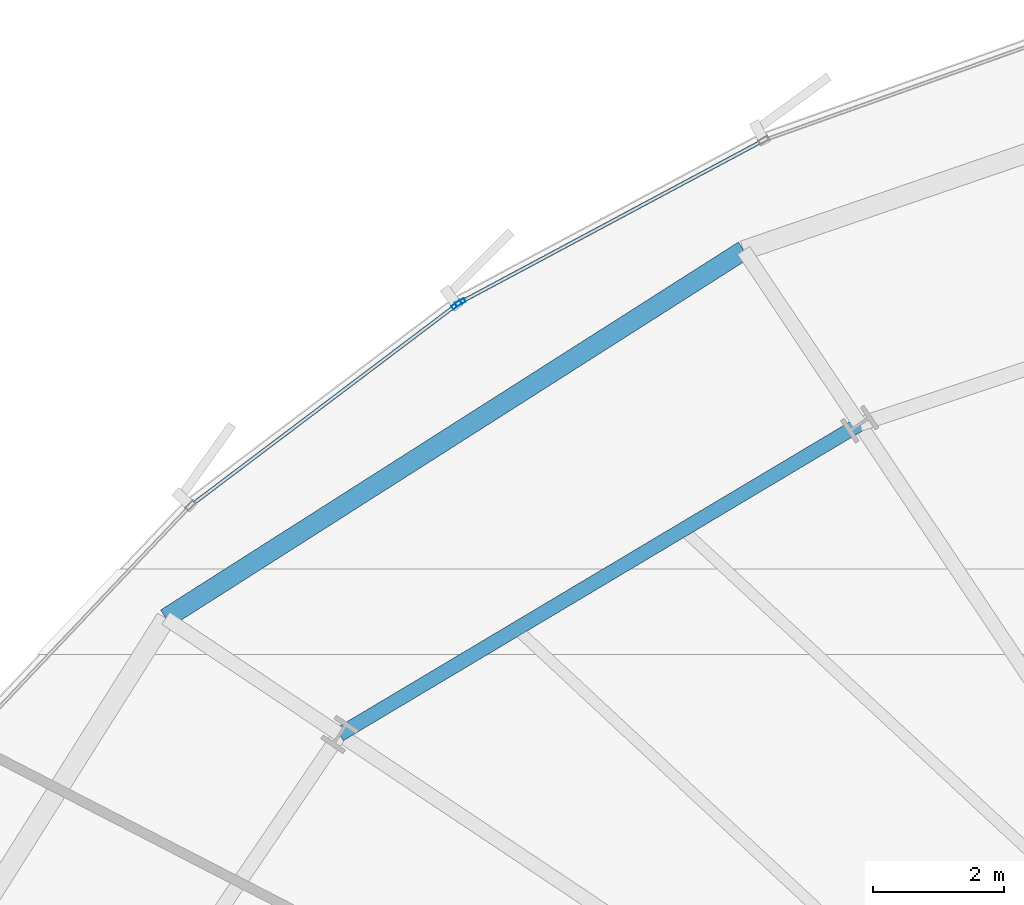
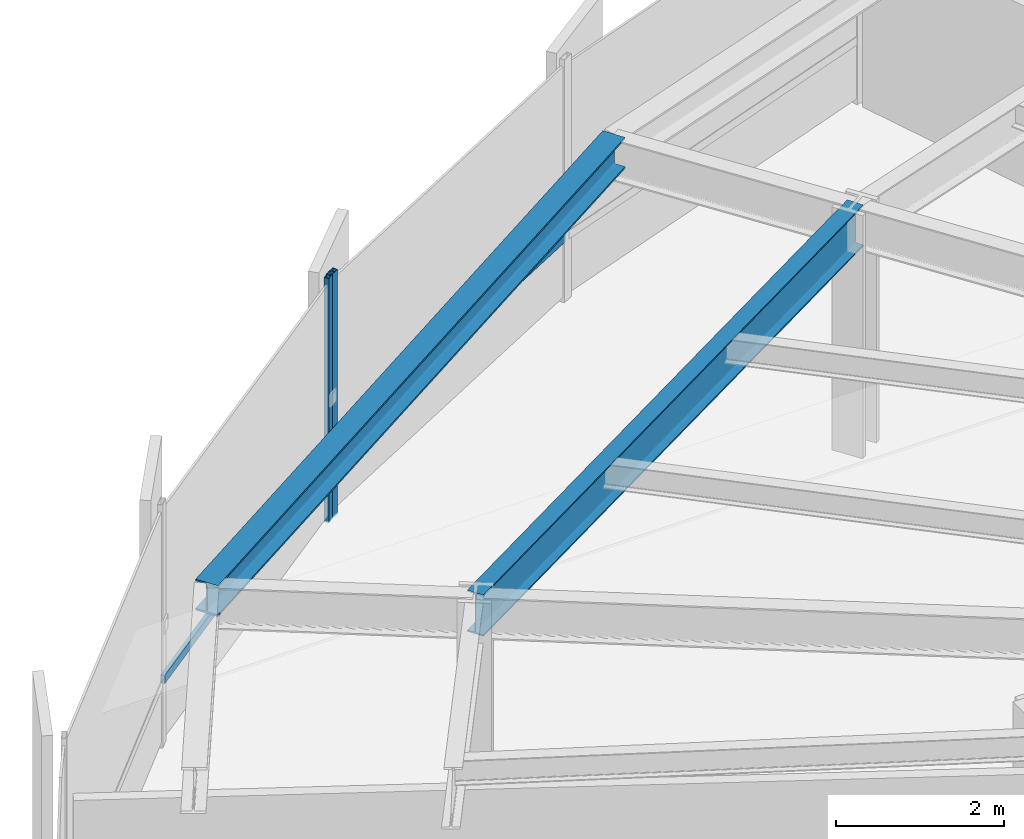
# One storey, part 19 of 37: 4 members, 2 beams, 2 elements without a shape of their own.
"""IFC4 building model written with IfcOpenShell, lengths in metres."""

from ifc_helpers import new_model, si_unit, direction, frame, origin, origin_2d, place, context, subcontext, project, spatial, hollow_rectangle, i_section, extrude, source, transform, mapped, material, layer, layer_set, material_profile, profile_set, type_object, element, aggregate, save


model = new_model("IFC4")

# Units and contexts
model_context = context("Model", 3, precision=1e-05, world=origin(), true_north=direction((0.0, 1.0)))
body_context = subcontext(model_context, "Body", "Model", "MODEL_VIEW")
ifc_project = project(units=[si_unit("LENGTHUNIT", "METRE"), si_unit("AREAUNIT", "SQUARE_METRE"), si_unit("VOLUMEUNIT", "CUBIC_METRE"), si_unit("PLANEANGLEUNIT", "RADIAN"), si_unit("MASSUNIT", "GRAM", prefix="KILO"), si_unit("THERMODYNAMICTEMPERATUREUNIT", "KELVIN")], contexts=[model_context])

# Site, building, storey
site_placement = place(None, origin())
site = spatial("IfcSite", under=ifc_project, at=site_placement, CompositionType="ELEMENT")
building_placement = place(site_placement, origin())
building = spatial("IfcBuilding", under=site, at=building_placement, Name="Kethvar Cultural Tower", CompositionType="ELEMENT")
storey_placement = place(building_placement, frame((0.0, 0.0, 60.0)))
storey = spatial("IfcBuildingStorey", under=building, at=storey_placement, Name="L14", CompositionType="ELEMENT", Elevation=60.0)

# Beams
ifc_material_1 = material(Name="Steel S355J2", Category="steel")
ifc_material_profile_1 = material_profile(ifc_material_1, i_section(OverallWidth=0.219970703125, OverallDepth=0.60009765625, WebThickness=0.011962890625, FlangeThickness=0.01904296875, FilletRadius=0.02392578125, at=origin_2d()), Name="Steel S355J2 — IPE600")
ifc_profile_set_1 = profile_set([ifc_material_profile_1], Name="Steel S355J2 — IPE600")
beam_type_1 = type_object("IfcBeamType", Name="BM-IPE600", PredefinedType="BEAM", material=ifc_profile_set_1)
shared_shape_1 = source(origin(), body_context, "Body", "SweptSolid", [
    extrude(i_section(OverallWidth=0.219970703125, OverallDepth=0.60009765625, WebThickness=0.011962890625, FlangeThickness=0.01904296875, FilletRadius=0.02392578125, at=origin_2d()), origin(), (0.0, 0.0, 1.0), 9.270263671875),
])
beam_1_placement = place(storey_placement, frame((34.64599609375, 45.98974609375, 3.248046875), z_axis=(-0.858814626354, -0.51228647997, 0.0), x_axis=(0.51228647997, -0.858814626354, 0.0)))
element("IfcBeam", 1, at=beam_1_placement, inside=storey, type_object=beam_type_1, Name="L14 Column Ring Tie Beam CR-06", PredefinedType="BEAM", context=body_context, shape_type="MappedRepresentation", body=[
    mapped(shared_shape_1, transform((0.0, 0.0, 0.0), scale=1.0)),
])
ifc_material_profile_2 = material_profile(ifc_material_1, i_section(OverallWidth=0.300048828125, OverallDepth=0.449951171875, WebThickness=0.013916015625, FlangeThickness=0.02587890625, FilletRadius=0.027099609375, at=origin_2d()), Name="Steel S355J2 — HEB450")
ifc_profile_set_2 = profile_set([ifc_material_profile_2], Name="Steel S355J2 — HEB450")
beam_type_2 = type_object("IfcBeamType", Name="BM-SP450", PredefinedType="SPANDREL", material=ifc_profile_set_2)
shared_shape_2 = source(origin(), body_context, "Body", "SweptSolid", [
    extrude(i_section(OverallWidth=0.300048828125, OverallDepth=0.449951171875, WebThickness=0.013916015625, FlangeThickness=0.02587890625, FilletRadius=0.027099609375, at=origin_2d()), origin(), (0.0, 0.0, 1.0), 10.485107421875),
])
beam_2_placement = place(storey_placement, frame((32.8681640625, 48.650390625, 3.322998046875), z_axis=(-0.843502294633, -0.537125570932, 0.0), x_axis=(0.537125570932, -0.843502294633, 0.0)))
element("IfcBeam", 2, at=beam_2_placement, inside=storey, type_object=beam_type_2, Name="L14 Perimeter Spandrel Beam SP-06", PredefinedType="SPANDREL", context=body_context, shape_type="MappedRepresentation", body=[
    mapped(shared_shape_2, transform((0.0, 0.0, 0.0), scale=1.0)),
])

# Curtain wall, member
ifc_material_2 = material(Name="Aluminium 6063-T6", Category="aluminium")
ifc_layer = layer(ifc_material_2, 0.179931640625, Name="Aluminium 6063-T6", Category="aluminium")
ifc_layer_set = layer_set([ifc_layer], Name="Aluminium 6063-T6 (180 mm)")
curtain_wall_type = type_object("IfcCurtainWallType", Name="CW-SYS-02-Z1", PredefinedType="NOTDEFINED", material=ifc_layer_set)
curtain_wall_1_placement = place(storey_placement, origin())
curtain_wall_1 = element("IfcCurtainWall", 3, at=curtain_wall_1_placement, inside=storey, type_object=curtain_wall_type, Name="L14 Curtain Wall Run 02", PredefinedType="NOTDEFINED")
ifc_material_profile_3 = material_profile(ifc_material_2, hollow_rectangle(XDim=0.06494140625, YDim=0.159912109375, WallThickness=0.0048828125, at=origin_2d()), Name="Aluminium 6063-T6 — RHS160x65x5")
ifc_profile_set_3 = profile_set([ifc_material_profile_3], Name="Aluminium 6063-T6 — RHS160x65x5")
member_type_1 = type_object("IfcMemberType", Name="CW-SYS-02-Z1-MUL", PredefinedType="MULLION", material=ifc_profile_set_3)
shared_shape_3 = source(origin(), body_context, "Body", "SweptSolid", [
    extrude(hollow_rectangle(XDim=0.06494140625, YDim=0.159912109375, WallThickness=0.0048828125, at=origin_2d()), origin(), (0.0, 0.0, 1.0), 3.550048828125),
])
member_1_placement = place(storey_placement, frame((28.531494140625, 47.854248046875, 0.0), z_axis=(0.0, 0.0, 1.0), x_axis=(0.471319772882, -0.881962398116, 0.0)))
member_1 = element("IfcMember", 4, at=member_1_placement, type_object=member_type_1, Name="CW-L14-R02 Mullion 7", PredefinedType="MULLION", context=body_context, shape_type="MappedRepresentation", body=[
    mapped(shared_shape_3, transform((0.0, 0.0, 0.0), scale=1.0)),
])

curtain_wall_2_placement = place(storey_placement, origin())
curtain_wall_2 = element("IfcCurtainWall", 5, at=curtain_wall_2_placement, inside=storey, type_object=curtain_wall_type, Name="L14 Curtain Wall Run 03", PredefinedType="NOTDEFINED")
member_2_placement = place(storey_placement, frame((28.476318359375, 47.81884765625, 0.0), z_axis=(0.0, 0.0, 1.0), x_axis=(0.602595309451, -0.798046924077, 0.0)))
member_2 = element("IfcMember", 6, at=member_2_placement, type_object=member_type_1, Name="CW-L14-R03 Mullion 1", PredefinedType="MULLION", context=body_context, shape_type="MappedRepresentation", body=[
    mapped(shared_shape_3, transform((0.0, 0.0, 0.0), scale=1.0)),
])

# Member
ifc_material_profile_4 = material_profile(ifc_material_2, hollow_rectangle(XDim=0.054931640625, YDim=0.1201171875, WallThickness=0.00390625, at=origin_2d()), Name="Aluminium 6063-T6 — RHS120x55x4")
ifc_profile_set_4 = profile_set([ifc_material_profile_4], Name="Aluminium 6063-T6 — RHS120x55x4")
member_type_2 = type_object("IfcMemberType", Name="CW-SYS-02-Z1-TRN", PredefinedType="USERDEFINED", material=ifc_profile_set_4)
shared_shape_4 = source(origin(), body_context, "Body", "SweptSolid", [
    extrude(hollow_rectangle(XDim=0.054931640625, YDim=0.1201171875, WallThickness=0.00390625, at=origin_2d()), origin(), (0.0, 0.0, 1.0), 5.21484375),
])
member_3_placement = place(storey_placement, frame((33.134765625, 50.314208984375, 0.949951171875), z_axis=(-0.881943077748, -0.471355924555, 0.0), x_axis=(0.471355924555, -0.881943077748, 0.0)))
member_3 = element("IfcMember", 7, at=member_3_placement, type_object=member_type_2, Name="CW-L14-R02 Transom 6", ObjectType="TRANSOM", PredefinedType="USERDEFINED", context=body_context, shape_type="MappedRepresentation", body=[
    mapped(shared_shape_4, transform((0.0, 0.0, 0.0), scale=1.0)),
])

aggregate(curtain_wall_1, [member_1, member_3])

shared_shape_5 = source(origin(), body_context, "Body", "SweptSolid", [
    extrude(hollow_rectangle(XDim=0.054931640625, YDim=0.1201171875, WallThickness=0.00390625, at=origin_2d()), origin(), (0.0, 0.0, 1.0), 5.073974609375),
])
member_4_placement = place(storey_placement, frame((28.472900390625, 47.816162109375, 0.949951171875), z_axis=(-0.798044202251, -0.602598914083, 0.0), x_axis=(0.602598914083, -0.798044202251, 0.0)))
member_4 = element("IfcMember", 8, at=member_4_placement, type_object=member_type_2, Name="CW-L14-R03 Transom 1", ObjectType="TRANSOM", PredefinedType="USERDEFINED", context=body_context, shape_type="MappedRepresentation", body=[
    mapped(shared_shape_5, transform((0.0, 0.0, 0.0), scale=1.0)),
])

aggregate(curtain_wall_2, [member_2, member_4])

save(model, "model.ifc")
